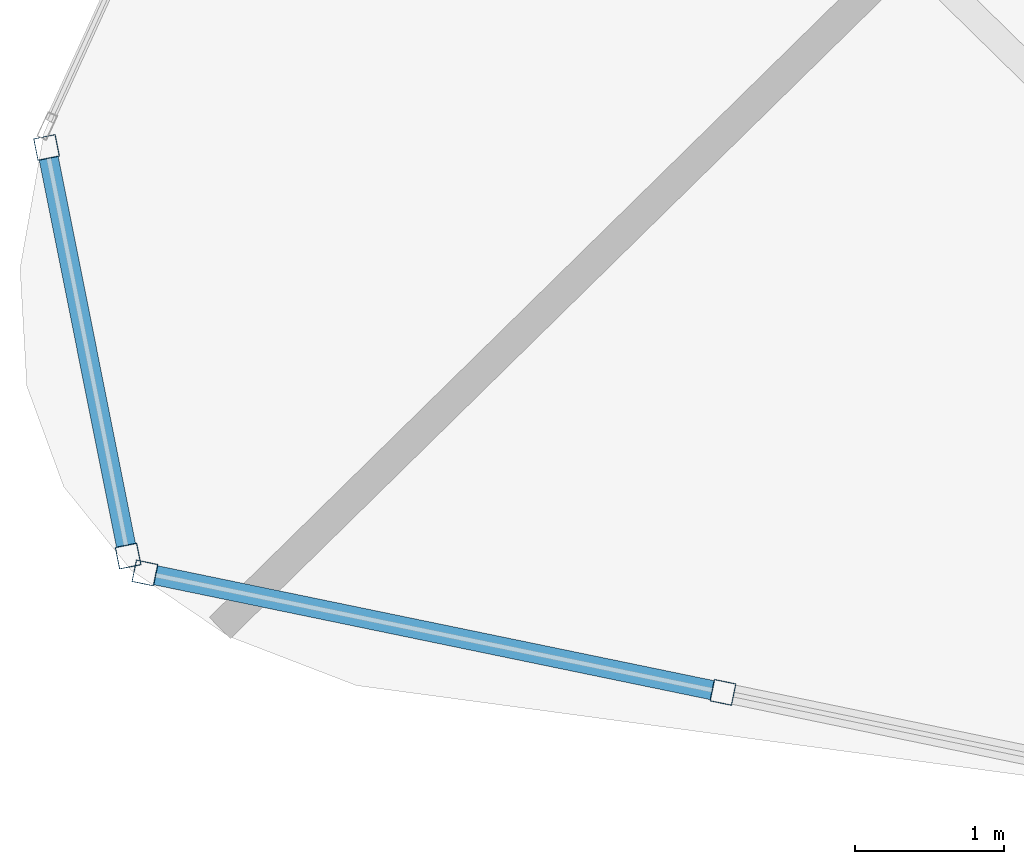
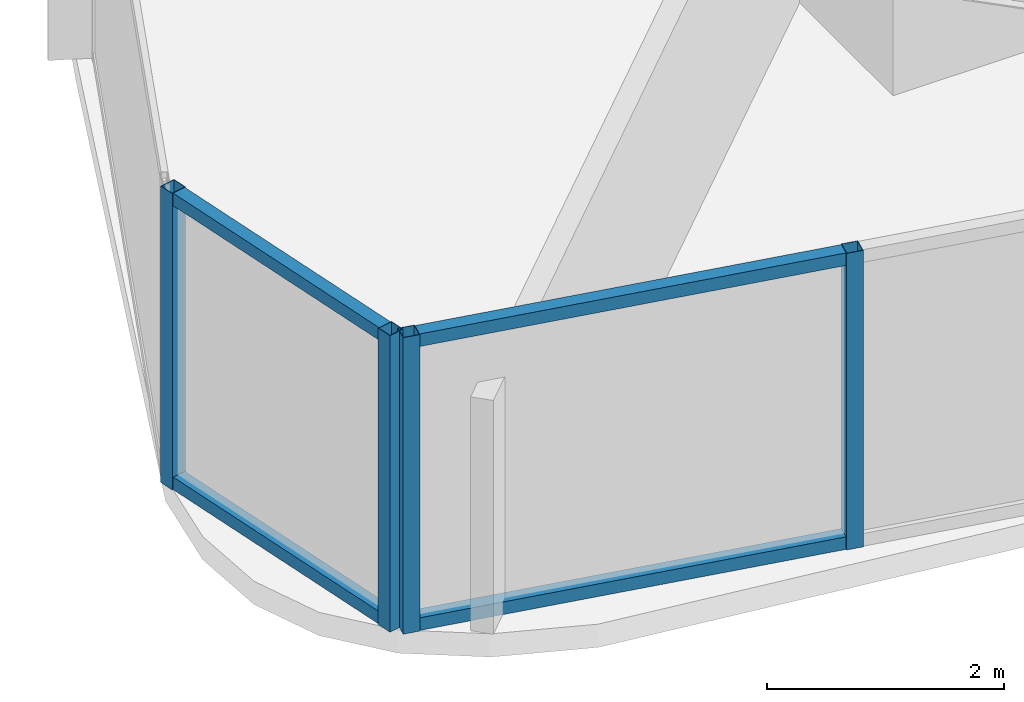
# One storey, part 2 of 34: 8 members, 2 elements without a shape of their own.
"""IFC4 building model written with IfcOpenShell, lengths in metres."""

import ifcopenshell
import ifcopenshell.guid

model = None  # the IFC model being written
_history = None  # IfcOwnerHistory: only IFC2X3 demands one
_inside = {}  # id of a spatial element -> (the spatial element, [elements in it])
_under = {}  # id of a project, library or spatial element -> (it, [spatial elements below it])
_declared = {}  # id of a project -> (the project, [libraries it declares])
_typed = {}  # id of a type object -> (the type object, [elements of that type])
_made_of = {}  # id of a material, layer set ... -> (it, [elements and type objects made of it])


def new_model(schema):
    """Start an empty IFC model of exactly this schema.

    Asked for "IFC4X3", IfcOpenShell would pick the latest addendum, in which some entities
    have other attributes; the version numbers below select the first issue.
    IFC2X3 requires an IfcOwnerHistory on every rooted entity: one is made here for all.
    """
    global model, _history
    if schema == "IFC4X3":
        model = ifcopenshell.file(schema_version=(4, 3, 0, 0))
    else:
        model = ifcopenshell.file(schema=schema)
    _inside.clear()
    _under.clear()
    _declared.clear()
    _typed.clear()
    _made_of.clear()
    _history = None
    if model.schema == "IFC2X3":
        org = make("IfcOrganization", Name="unknown")
        user = make(
            "IfcPersonAndOrganization",
            ThePerson=make("IfcPerson", FamilyName="unknown"),
            TheOrganization=org,
        )
        app = make(
            "IfcApplication",
            ApplicationDeveloper=org,
            Version="unknown",
            ApplicationFullName="unknown",
            ApplicationIdentifier="unknown",
        )
        _history = make(
            "IfcOwnerHistory",
            OwningUser=user,
            OwningApplication=app,
            ChangeAction="ADDED",
            CreationDate=0,
        )
    return model


def make(cls, **values):
    """One entity of the class cls with the attributes given. An attribute that is None is left unset."""
    return model.create_entity(
        cls, **{name: value for name, value in values.items() if value is not None}
    )


def rooted(cls, **values):
    """An entity with a GlobalId (a new one), such as an element, a storey or a relation."""
    return make(cls, GlobalId=ifcopenshell.guid.new(), OwnerHistory=_history, **values)


def si_unit(unit_type, name, prefix=None):
    """IfcSIUnit, for example si_unit("LENGTHUNIT", "METRE", prefix="MILLI")."""
    return make("IfcSIUnit", UnitType=unit_type, Prefix=prefix, Name=name)


def assignment(units):
    """IfcUnitAssignment: the units of a project."""
    return None if units is None else make("IfcUnitAssignment", Units=units)


def point(xyz):
    """IfcCartesianPoint."""
    return None if xyz is None else make("IfcCartesianPoint", Coordinates=xyz)


def direction(xyz):
    """IfcDirection."""
    return None if xyz is None else make("IfcDirection", DirectionRatios=xyz)


def frame(location, z_axis=None, x_axis=None):
    """IfcAxis2Placement3D, a coordinate frame: its origin and axes. An axis left out is left unset."""
    return make(
        "IfcAxis2Placement3D",
        Location=point(location),
        Axis=direction(z_axis),
        RefDirection=direction(x_axis),
    )


def frame_2d(location, x_axis=None):
    """IfcAxis2Placement2D, a coordinate frame in the plane: its origin and x axis."""
    return make(
        "IfcAxis2Placement2D", Location=point(location), RefDirection=direction(x_axis)
    )


def origin():
    """The frame at (0, 0, 0) with its axes left unset."""
    return frame((0.0, 0.0, 0.0))


def origin_2d():
    """The frame at (0, 0) in the plane with its x axis left unset."""
    return frame_2d((0.0, 0.0))


def place(relative_to, where):
    """IfcLocalPlacement: puts the frame where relative to a parent placement (None: the world)."""
    return make(
        "IfcLocalPlacement", PlacementRelTo=relative_to, RelativePlacement=where
    )


def context(
    kind, dimensions, precision=None, world=None, true_north=None, identifier=None
):
    """IfcGeometricRepresentationContext, for example the 3D "Model" context."""
    return make(
        "IfcGeometricRepresentationContext",
        ContextIdentifier=identifier,
        ContextType=kind,
        CoordinateSpaceDimension=dimensions,
        Precision=precision,
        WorldCoordinateSystem=world,
        TrueNorth=true_north,
    )


def subcontext(parent, identifier, kind, view, scale=None):
    """IfcGeometricRepresentationSubContext, for example "Body" below "Model"."""
    return make(
        "IfcGeometricRepresentationSubContext",
        ContextIdentifier=identifier,
        ContextType=kind,
        ParentContext=parent,
        TargetScale=scale,
        TargetView=view,
    )


def project(units=None, contexts=None):
    """IfcProject with its units and contexts."""
    return rooted(
        "IfcProject",
        Name="project",
        RepresentationContexts=contexts,
        UnitsInContext=assignment(units),
    )


def spatial(cls, under=None, at=None, **own):
    """A site, building, storey or space (cls), placed at a placement, below another one or the project."""
    s = rooted(cls, ObjectPlacement=at, **own)
    if under is not None:
        _under.setdefault(under.id(), (under, []))[1].append(s)
    return s


def profile(cls, at=None, kind="AREA", **sizes):
    """A parametric profile (cls). Its sizes go by their IFC names, for example OverallWidth=200.0."""
    return make(cls, ProfileType=kind, Position=at, **sizes)


def hollow_rectangle(**sizes):
    """IfcRectangleHollowProfileDef."""
    return profile("IfcRectangleHollowProfileDef", **sizes)


def extrude(swept, where, along, depth):
    """IfcExtrudedAreaSolid: the profile swept, set in the frame where, extruded along a direction by depth."""
    return make(
        "IfcExtrudedAreaSolid",
        SweptArea=swept,
        Position=where,
        ExtrudedDirection=direction(along),
        Depth=depth,
    )


def shape(context_of_items, identifier, shape_type, items):
    """IfcShapeRepresentation: the items that make up one representation, for example the "Body"."""
    return make(
        "IfcShapeRepresentation",
        ContextOfItems=context_of_items,
        RepresentationIdentifier=identifier,
        RepresentationType=shape_type,
        Items=items,
    )


def material(Name=None, Category=None):
    """IfcMaterial."""
    return make("IfcMaterial", Name=Name, Category=Category)


def layer(
    of_material, thickness, ventilated=None, Name=None, Category=None, Priority=None
):
    """IfcMaterialLayer: one layer of a wall or slab, of a material (None: an air gap)."""
    return make(
        "IfcMaterialLayer",
        Material=of_material,
        LayerThickness=thickness,
        IsVentilated=ventilated,
        Name=Name,
        Category=Category,
        Priority=Priority,
    )


def layer_set(layers, Name=None):
    """IfcMaterialLayerSet."""
    return make("IfcMaterialLayerSet", MaterialLayers=layers, LayerSetName=Name)


def material_profile(
    of_material, cross_section, Name=None, Category=None, Priority=None
):
    """IfcMaterialProfile: a cross section and its material."""
    return make(
        "IfcMaterialProfile",
        Name=Name,
        Material=of_material,
        Profile=cross_section,
        Priority=Priority,
        Category=Category,
    )


def profile_set(profiles, Name=None, composite=None):
    """IfcMaterialProfileSet."""
    return make(
        "IfcMaterialProfileSet",
        Name=Name,
        MaterialProfiles=profiles,
        CompositeProfile=composite,
    )


def made_of(thing, what):
    """Note that an element or type object is made of a material, layer set ...; save() writes the relation."""
    if what is not None:
        _made_of.setdefault(what.id(), (what, []))[1].append(thing)
    return thing


def type_object(cls, material=None, **own):
    """A type object (cls), such as IfcWallType, which elements share."""
    return made_of(rooted(cls, **own), material)


def element(
    cls,
    number,
    at=None,
    inside=None,
    cuts=None,
    type_object=None,
    material=None,
    context=None,
    identifier="Body",
    shape_type=None,
    held_by="IfcProductDefinitionShape",
    body=None,
    shapes=None,
    **own,
):
    """One element of the class cls, such as IfcWall. Its Tag is "e" and its number.

    at: its placement. inside: the storey or other place that contains it. cuts: it is an
    opening in that element (IfcRelVoidsElement). A single representation is given by context,
    identifier, shape_type and body (its items); several are given by shapes. held_by: the class
    of the entity that holds the representations. save() writes the other relations.
    """
    e = rooted(cls, Tag="e%d" % number, ObjectPlacement=at, **own)
    if body is not None:
        shapes = [shape(context, identifier, shape_type, body)]
    if shapes is not None:
        e.Representation = make(held_by, Representations=shapes)
    if inside is not None:
        _inside.setdefault(inside.id(), (inside, []))[1].append(e)
    if cuts is not None:
        rooted(
            "IfcRelVoidsElement", RelatingBuildingElement=cuts, RelatedOpeningElement=e
        )
    if type_object is not None:
        _typed.setdefault(type_object.id(), (type_object, []))[1].append(e)
    return made_of(e, material)


def aggregate(whole, parts):
    """IfcRelAggregates: a whole, such as a stair, and the parts it consists of."""
    return rooted("IfcRelAggregates", RelatingObject=whole, RelatedObjects=parts)


def save(model, path):
    """Write the relations noted so far, then the file.

    IfcRelAggregates (storeys below a building ...), IfcRelContainedInSpatialStructure (elements
    in a storey), IfcRelDefinesByType, IfcRelAssociatesMaterial and IfcRelDeclares: one each for
    every whole, place, type object, material and project.
    """
    for whole, parts in _under.values():
        aggregate(whole, parts)
    for where, things in _inside.values():
        rooted(
            "IfcRelContainedInSpatialStructure",
            RelatedElements=things,
            RelatingStructure=where,
        )
    for kind, things in _typed.values():
        rooted("IfcRelDefinesByType", RelatedObjects=things, RelatingType=kind)
    for what, things in _made_of.values():
        rooted("IfcRelAssociatesMaterial", RelatedObjects=things, RelatingMaterial=what)
    for by, libraries in _declared.values():
        rooted("IfcRelDeclares", RelatingContext=by, RelatedDefinitions=libraries)
    model.write(path)


model = new_model("IFC4")

# Units and contexts
model_context = context("Model", 3, precision=1e-05, world=origin(), true_north=direction((0.0, 1.0)))
body_context = subcontext(model_context, "Body", "Model", "MODEL_VIEW")
ifc_project = project(units=[si_unit("LENGTHUNIT", "METRE"), si_unit("AREAUNIT", "SQUARE_METRE"), si_unit("VOLUMEUNIT", "CUBIC_METRE"), si_unit("PLANEANGLEUNIT", "RADIAN"), si_unit("MASSUNIT", "GRAM", prefix="KILO")], contexts=[model_context])

# Site, building, storey
site_placement = place(None, origin())
site = spatial("IfcSite", under=ifc_project, at=site_placement, CompositionType="ELEMENT")
building_placement = place(site_placement, origin())
building = spatial("IfcBuilding", under=site, at=building_placement, Name="Orvanel Arch Residences", CompositionType="ELEMENT")
storey_placement = place(building_placement, frame((0.0, 0.0, 67.550048828125)))
storey = spatial("IfcBuildingStorey", under=building, at=storey_placement, Name="L18", CompositionType="ELEMENT", Elevation=67.550048828125)

# Curtain wall, members
ifc_material = material(Name="Bronze-anodised aluminium AA6063-T6", Category="aluminium")
ifc_layer = layer(ifc_material, 0.18994140625)
ifc_layer_set = layer_set([ifc_layer], Name="Bronze-anodised aluminium AA6063-T6")
curtain_wall_type = type_object("IfcCurtainWallType", Name="CW5-CRN-SYS", PredefinedType="NOTDEFINED", material=ifc_layer_set)
curtain_wall_1_placement = place(storey_placement, origin())
curtain_wall_1 = element("IfcCurtainWall", 1, at=curtain_wall_1_placement, inside=storey, type_object=curtain_wall_type, Name="L18 CW5-CRN-SYS Unitised Curtain Wall", PredefinedType="NOTDEFINED")
ifc_material_profile_1 = material_profile(ifc_material, hollow_rectangle(XDim=0.14990234375, YDim=0.14990234375, WallThickness=0.0048828125, at=origin_2d()), Name="ALU150x150x5")
ifc_profile_set_1 = profile_set([ifc_material_profile_1], Name="Bronze-anodised aluminium AA6063-T6")
member_type_1 = type_object("IfcMemberType", Name="MUL-150x150", PredefinedType="MULLION", material=ifc_profile_set_1)
member_1_placement = place(storey_placement, frame((5.275634765625, 7.6513671875, 0.0), z_axis=(0.0, 0.0, 1.0), x_axis=(0.980659148217, 0.195723363495, 0.0)))
member_1 = element("IfcMember", 2, at=member_1_placement, type_object=member_type_1, Name="CW-S5 mullion 1", PredefinedType="MULLION", context=body_context, shape_type="SweptSolid", body=[
    extrude(hollow_rectangle(XDim=0.14990234375, YDim=0.14990234375, WallThickness=0.0048828125, at=origin_2d()), origin(), (0.0, 0.0, 1.0), 3.06005859375),
])
member_2_placement = place(storey_placement, frame((5.8212890625, 4.91748046875, 0.0), z_axis=(0.0, 0.0, 1.0), x_axis=(0.980659148217, 0.195723363495, 0.0)))
member_2 = element("IfcMember", 3, at=member_2_placement, type_object=member_type_1, Name="CW-S5 mullion 2", PredefinedType="MULLION", context=body_context, shape_type="SweptSolid", body=[
    extrude(hollow_rectangle(XDim=0.14990234375, YDim=0.14990234375, WallThickness=0.0048828125, at=origin_2d()), origin(), (0.0, 0.0, 1.0), 3.06005859375),
])

curtain_wall_2_placement = place(storey_placement, origin())
curtain_wall_2 = element("IfcCurtainWall", 4, at=curtain_wall_2_placement, inside=storey, type_object=curtain_wall_type, Name="L18 CW5-CRN-SYS Unitised Curtain Wall", PredefinedType="NOTDEFINED")
member_3_placement = place(storey_placement, frame((5.933349609375, 4.804931640625, 0.0), z_axis=(0.0, 0.0, 1.0), x_axis=(0.202301523353, 0.979323283522, 0.0)))
member_3 = element("IfcMember", 5, at=member_3_placement, type_object=member_type_1, Name="CW-S5 mullion 1", PredefinedType="MULLION", context=body_context, shape_type="SweptSolid", body=[
    extrude(hollow_rectangle(XDim=0.14990234375, YDim=0.14990234375, WallThickness=0.0048828125, at=origin_2d()), origin(), (0.0, 0.0, 1.0), 3.06005859375),
])
member_4_placement = place(storey_placement, frame((9.800537109375, 4.006103515625, 0.0), z_axis=(0.0, 0.0, 1.0), x_axis=(0.202301523353, 0.979323283522, 0.0)))
member_4 = element("IfcMember", 6, at=member_4_placement, type_object=member_type_1, Name="CW-S5 mullion 2", PredefinedType="MULLION", context=body_context, shape_type="SweptSolid", body=[
    extrude(hollow_rectangle(XDim=0.14990234375, YDim=0.14990234375, WallThickness=0.0048828125, at=origin_2d()), origin(), (0.0, 0.0, 1.0), 3.06005859375),
])

# Member
ifc_material_profile_2 = material_profile(ifc_material, hollow_rectangle(XDim=0.1298828125, YDim=0.1298828125, WallThickness=0.00439453125, at=origin_2d()), Name="ALU130x130x4.5")
ifc_profile_set_2 = profile_set([ifc_material_profile_2], Name="Bronze-anodised aluminium AA6063-T6")
member_type_2 = type_object("IfcMemberType", Name="TRN-130x130", PredefinedType="USERDEFINED", material=ifc_profile_set_2)
member_5_placement = place(storey_placement, frame((5.290283203125, 7.577880859375, 0.06494140625), z_axis=(0.195760129979, -0.980651809518, 0.0), x_axis=(0.980651809518, 0.195760129979, 0.0)))
member_5 = element("IfcMember", 7, at=member_5_placement, type_object=member_type_2, Name="CW-S5 transom 1.1", ObjectType="TRANSOM", PredefinedType="USERDEFINED", context=body_context, shape_type="SweptSolid", body=[
    extrude(hollow_rectangle(XDim=0.1298828125, YDim=0.1298828125, WallThickness=0.00439453125, at=origin_2d()), origin(), (0.0, 0.0, 1.0), 2.6376953125),
])

member_6_placement = place(storey_placement, frame((5.290283203125, 7.577880859375, 2.994873046875), z_axis=(0.195760129979, -0.980651809518, 0.0), x_axis=(0.980651809518, 0.195760129979, 0.0)))
member_6 = element("IfcMember", 8, at=member_6_placement, type_object=member_type_2, Name="CW-S5 transom 1.2", ObjectType="TRANSOM", PredefinedType="USERDEFINED", context=body_context, shape_type="SweptSolid", body=[
    extrude(hollow_rectangle(XDim=0.1298828125, YDim=0.1298828125, WallThickness=0.00439453125, at=origin_2d()), origin(), (0.0, 0.0, 1.0), 2.6376953125),
])

aggregate(curtain_wall_1, [member_1, member_2, member_5, member_6])

member_7_placement = place(storey_placement, frame((6.0068359375, 4.78955078125, 0.06494140625), z_axis=(0.979332906818, -0.202254932259, 0.0), x_axis=(0.202254932259, 0.979332906818, 0.0)))
member_7 = element("IfcMember", 9, at=member_7_placement, type_object=member_type_2, Name="CW-S5 transom 1.1", ObjectType="TRANSOM", PredefinedType="USERDEFINED", context=body_context, shape_type="SweptSolid", body=[
    extrude(hollow_rectangle(XDim=0.1298828125, YDim=0.1298828125, WallThickness=0.00439453125, at=origin_2d()), origin(), (0.0, 0.0, 1.0), 3.798828125),
])

member_8_placement = place(storey_placement, frame((6.0068359375, 4.78955078125, 2.994873046875), z_axis=(0.979332906818, -0.202254932259, 0.0), x_axis=(0.202254932259, 0.979332906818, 0.0)))
member_8 = element("IfcMember", 10, at=member_8_placement, type_object=member_type_2, Name="CW-S5 transom 1.2", ObjectType="TRANSOM", PredefinedType="USERDEFINED", context=body_context, shape_type="SweptSolid", body=[
    extrude(hollow_rectangle(XDim=0.1298828125, YDim=0.1298828125, WallThickness=0.00439453125, at=origin_2d()), origin(), (0.0, 0.0, 1.0), 3.798828125),
])

aggregate(curtain_wall_2, [member_3, member_4, member_7, member_8])

save(model, "model.ifc")
